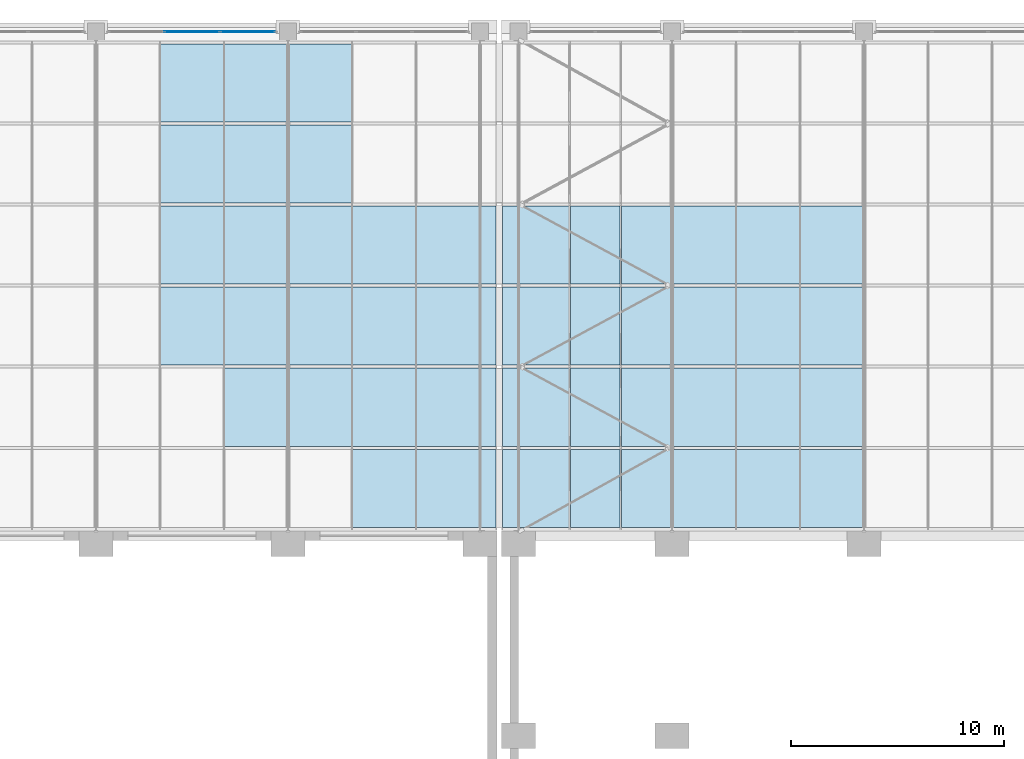
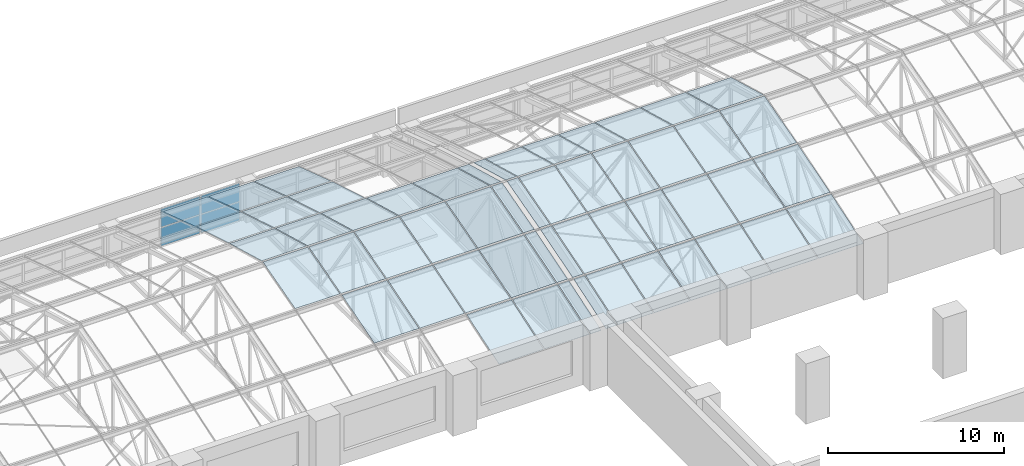
# One storey, part 50 of 82: 58 plates, 3 elements without a shape of their own.
"""IFC4 building model written with IfcOpenShell, lengths in metres."""

from ifc_helpers import new_model, si_unit, direction, frame, origin, origin_2d, place, context, subcontext, project, spatial, polyline, rectangle, outline, extrude, material, layer, layer_set, type_object, element, aggregate, save


model = new_model("IFC4")

# Units and contexts
model_context = context("Model", 3, precision=1e-05, world=origin(), true_north=direction((0.0, 1.0)))
body_context = subcontext(model_context, "Body", "Model", "MODEL_VIEW")
ifc_project = project(units=[si_unit("LENGTHUNIT", "METRE"), si_unit("AREAUNIT", "SQUARE_METRE"), si_unit("VOLUMEUNIT", "CUBIC_METRE"), si_unit("PLANEANGLEUNIT", "RADIAN"), si_unit("MASSUNIT", "GRAM", prefix="KILO")], contexts=[model_context])

# Site, building, storey
site_placement = place(None, origin())
site = spatial("IfcSite", under=ifc_project, at=site_placement, CompositionType="ELEMENT")
building_placement = place(site_placement, origin())
building = spatial("IfcBuilding", under=site, at=building_placement, Name="Aravalli Gate Trade Fair Centre", CompositionType="ELEMENT")
storey_placement = place(building_placement, frame((0.0, 0.0, 19.199951171875)))
storey = spatial("IfcBuildingStorey", under=building, at=storey_placement, Name="L04", CompositionType="ELEMENT", Elevation=19.199951171875)

# Curtain wall, plates
ifc_material_1 = material(Name="Aluminium and glass", Category="aluminium")
curtain_wall_type_1 = type_object("IfcCurtainWallType", Name="Curtain wall 3000 module", PredefinedType="NOTDEFINED", material=ifc_material_1)
curtain_wall_1_placement = place(storey_placement, origin())
curtain_wall_1 = element("IfcCurtainWall", 1, at=curtain_wall_1_placement, inside=storey, type_object=curtain_wall_type_1, Name="Curtain wall north bay 10 L04", PredefinedType="NOTDEFINED")
ifc_material_2 = material(Name="Glass, double glazed", Category="glass")
ifc_layer_1 = layer(ifc_material_2, 0.028076171875)
ifc_layer_set_1 = layer_set([ifc_layer_1], Name="Glass, double glazed")
plate_type_1 = type_object("IfcPlateType", Name="Curtain wall panel, double glazed 28", PredefinedType="CURTAIN_PANEL", material=ifc_layer_set_1)
plate_1_placement = place(storey_placement, frame((91.5, 133.0, 0.06005859375), z_axis=(0.0, 0.0, 1.0), x_axis=(1.0, 0.0, 0.0)))
plate_1 = element("IfcPlate", 2, at=plate_1_placement, type_object=plate_type_1, Name="CW1 panel 2.1", PredefinedType="CURTAIN_PANEL", context=body_context, shape_type="SweptSolid", body=[
    extrude(rectangle(XDim=2.5732421875, YDim=0.028076171875, at=origin_2d()), origin(), (0.0, 0.0, 1.0), 1.260009765625),
])
plate_2_placement = place(storey_placement, frame((91.5, 133.0, 1.3798828125), z_axis=(0.0, 0.0, 1.0), x_axis=(1.0, 0.0, 0.0)))
plate_2 = element("IfcPlate", 3, at=plate_2_placement, type_object=plate_type_1, Name="CW1 panel 2.2", PredefinedType="CURTAIN_PANEL", context=body_context, shape_type="SweptSolid", body=[
    extrude(rectangle(XDim=2.5732421875, YDim=0.028076171875, at=origin_2d()), origin(), (0.0, 0.0, 1.0), 1.260009765625),
])
plate_3_placement = place(storey_placement, frame((94.118408203125, 133.0, 0.06005859375), z_axis=(0.0, 0.0, 1.0), x_axis=(1.0, 0.0, 0.0)))
plate_3 = element("IfcPlate", 4, at=plate_3_placement, type_object=plate_type_1, Name="CW1 panel 3.1", PredefinedType="CURTAIN_PANEL", context=body_context, shape_type="SweptSolid", body=[
    extrude(rectangle(XDim=2.543212890625, YDim=0.028076171875, at=origin_2d()), origin(), (0.0, 0.0, 1.0), 1.260009765625),
])
plate_4_placement = place(storey_placement, frame((94.118408203125, 133.0, 1.3798828125), z_axis=(0.0, 0.0, 1.0), x_axis=(1.0, 0.0, 0.0)))
plate_4 = element("IfcPlate", 5, at=plate_4_placement, type_object=plate_type_1, Name="CW1 panel 3.2", PredefinedType="CURTAIN_PANEL", context=body_context, shape_type="SweptSolid", body=[
    extrude(rectangle(XDim=2.543212890625, YDim=0.028076171875, at=origin_2d()), origin(), (0.0, 0.0, 1.0), 1.260009765625),
])
aggregate(curtain_wall_1, [plate_1, plate_2, plate_3, plate_4])

curtain_wall_type_2 = type_object("IfcCurtainWallType", Name="Vault curtain wall, sloped glazing", PredefinedType="NOTDEFINED", material=ifc_material_1)
curtain_wall_2_placement = place(storey_placement, origin())
curtain_wall_2 = element("IfcCurtainWall", 6, at=curtain_wall_2_placement, inside=storey, type_object=curtain_wall_type_2, Name="Vault curtain wall w", PredefinedType="NOTDEFINED")
ifc_material_3 = material(Name="Glass, laminated double glazed", Category="glass")
ifc_layer_2 = layer(ifc_material_3, 0.028076171875)
ifc_layer_set_2 = layer_set([ifc_layer_2], Name="Glass, laminated double glazed")
plate_type_2 = type_object("IfcPlateType", Name="Vault glazing panel, facet class 1", PredefinedType="CURTAIN_PANEL", material=ifc_layer_set_2)
plate_5_placement = place(storey_placement, frame((90.030029296875, 128.77001953125, 4.0771484375), z_axis=(0.0, 0.312518472278, 0.949911682466), x_axis=(1.0, 0.0, 0.0)))
plate_5 = element("IfcPlate", 7, at=plate_5_placement, type_object=plate_type_2, Name="Vault glazing w26.6", PredefinedType="CURTAIN_PANEL", context=body_context, shape_type="SweptSolid", body=[
    extrude(outline(polyline([(0.0, 0.0), (2.93994140625, 0.0), (2.93994140625, 3.852897250273449), (0.0, 3.852897250273449), (0.0, 0.0)])), origin(), (0.0, 0.0, -1.0), 0.028076171875),
])
plate_6_placement = place(storey_placement, frame((93.030029296875, 128.77001953125, 4.0771484375), z_axis=(0.0, 0.312518472278, 0.949911682466), x_axis=(1.0, 0.0, 0.0)))
plate_6 = element("IfcPlate", 8, at=plate_6_placement, type_object=plate_type_2, Name="Vault glazing w27.6", PredefinedType="CURTAIN_PANEL", context=body_context, shape_type="SweptSolid", body=[
    extrude(outline(polyline([(0.0, 0.0), (2.93994140625, 0.0), (2.93994140625, 3.852897250273449), (0.0, 3.852897250273449), (0.0, 0.0)])), origin(), (0.0, 0.0, -1.0), 0.028076171875),
])
plate_7_placement = place(storey_placement, frame((96.030029296875, 128.77001953125, 4.0771484375), z_axis=(0.0, 0.312518472278, 0.949911682466), x_axis=(1.0, 0.0, 0.0)))
plate_7 = element("IfcPlate", 9, at=plate_7_placement, type_object=plate_type_2, Name="Vault glazing w28.6", PredefinedType="CURTAIN_PANEL", context=body_context, shape_type="SweptSolid", body=[
    extrude(outline(polyline([(0.0, 0.0), (2.93994140625, 0.0), (2.93994140625, 3.852897250273449), (0.0, 3.852897250273449), (0.0, 0.0)])), origin(), (0.0, 0.0, -1.0), 0.028076171875),
])
plate_8_placement = place(storey_placement, frame((99.030029296875, 109.77001953125, 2.873046875), z_axis=(0.0, -0.312518472278, 0.949911682466), x_axis=(1.0, 0.0, 0.0)))
plate_8 = element("IfcPlate", 10, at=plate_8_placement, type_object=plate_type_2, Name="Vault glazing w29.1", PredefinedType="CURTAIN_PANEL", context=body_context, shape_type="SweptSolid", body=[
    extrude(outline(polyline([(0.0, 0.0), (2.93994140625, 0.0), (2.93994140625, 3.852897250273449), (0.0, 3.852897250273449), (0.0, 0.0)])), origin(), (0.0, 0.0, -1.0), 0.028076171875),
])
plate_9_placement = place(storey_placement, frame((102.030029296875, 109.77001953125, 2.873046875), z_axis=(0.0, -0.312518472278, 0.949911682466), x_axis=(1.0, 0.0, 0.0)))
plate_9 = element("IfcPlate", 11, at=plate_9_placement, type_object=plate_type_2, Name="Vault glazing w30.1", PredefinedType="CURTAIN_PANEL", context=body_context, shape_type="SweptSolid", body=[
    extrude(outline(polyline([(0.0, 0.0), (2.93994140625, 0.0), (2.93994140625, 3.852897250273449), (0.0, 3.852897250273449), (0.0, 0.0)])), origin(), (0.0, 0.0, -1.0), 0.028076171875),
])
plate_10_placement = place(storey_placement, frame((105.030029296875, 109.77001953125, 2.873046875), z_axis=(0.0, -0.312518472278, 0.949911682466), x_axis=(1.0, 0.0, 0.0)))
plate_10 = element("IfcPlate", 12, at=plate_10_placement, type_object=plate_type_2, Name="Vault glazing w31.1", PredefinedType="CURTAIN_PANEL", context=body_context, shape_type="SweptSolid", body=[
    extrude(outline(polyline([(0.0, 0.0), (0.7099609375, 0.0), (0.7099609375, 3.852897250273449), (0.0, 3.852897250273449), (0.0, 0.0)])), origin(), (0.0, 0.0, -1.0), 0.028076171875),
])

curtain_wall_3_placement = place(storey_placement, origin())
curtain_wall_3 = element("IfcCurtainWall", 13, at=curtain_wall_3_placement, inside=storey, type_object=curtain_wall_type_2, Name="Vault curtain wall e", PredefinedType="NOTDEFINED")
plate_11_placement = place(storey_placement, frame((106.06005859375, 109.77001953125, 2.873046875), z_axis=(0.0, -0.312518472278, 0.949911682466), x_axis=(1.0, 0.0, 0.0)))
plate_11 = element("IfcPlate", 14, at=plate_11_placement, type_object=plate_type_2, Name="Vault glazing e1.1", PredefinedType="CURTAIN_PANEL", context=body_context, shape_type="SweptSolid", body=[
    extrude(outline(polyline([(0.0, 0.0), (0.7099609375, 0.0), (0.7099609375, 3.852897250273449), (0.0, 3.852897250273449), (0.0, 0.0)])), origin(), (0.0, 0.0, -1.0), 0.028076171875),
])
plate_12_placement = place(storey_placement, frame((106.830078125, 109.77001953125, 2.873046875), z_axis=(0.0, -0.312518472278, 0.949911682466), x_axis=(1.0, 0.0, 0.0)))
plate_12 = element("IfcPlate", 15, at=plate_12_placement, type_object=plate_type_2, Name="Vault glazing e2.1", PredefinedType="CURTAIN_PANEL", context=body_context, shape_type="SweptSolid", body=[
    extrude(outline(polyline([(0.0, 0.0), (2.33984375, 0.0), (2.33984375, 3.8528972502734495), (0.0, 3.8528972502734495), (0.0, 0.0)])), origin(), (0.0, 0.0, -1.0), 0.028076171875),
])
plate_13_placement = place(storey_placement, frame((109.22998046875, 109.77001953125, 2.873046875), z_axis=(0.0, -0.312518472278, 0.949911682466), x_axis=(1.0, 0.0, 0.0)))
plate_13 = element("IfcPlate", 16, at=plate_13_placement, type_object=plate_type_2, Name="Vault glazing e3.1", PredefinedType="CURTAIN_PANEL", context=body_context, shape_type="SweptSolid", body=[
    extrude(outline(polyline([(0.0, 0.0), (2.340087890625, 0.0), (2.340087890625, 3.852897250273449), (0.0, 3.852897250273449), (0.0, 0.0)])), origin(), (0.0, 0.0, -1.0), 0.028076171875),
])
plate_14_placement = place(storey_placement, frame((111.6298828125, 109.77001953125, 2.873046875), z_axis=(0.0, -0.312518472278, 0.949911682466), x_axis=(1.0, 0.0, 0.0)))
plate_14 = element("IfcPlate", 17, at=plate_14_placement, type_object=plate_type_2, Name="Vault glazing e4.1", PredefinedType="CURTAIN_PANEL", context=body_context, shape_type="SweptSolid", body=[
    extrude(outline(polyline([(0.0, 0.0), (2.340087890625, 0.0), (2.340087890625, 3.852897250273449), (0.0, 3.852897250273449), (0.0, 0.0)])), origin(), (0.0, 0.0, -1.0), 0.028076171875),
])
plate_15_placement = place(storey_placement, frame((114.030029296875, 109.77001953125, 2.873046875), z_axis=(0.0, -0.312518472278, 0.949911682466), x_axis=(1.0, 0.0, 0.0)))
plate_15 = element("IfcPlate", 18, at=plate_15_placement, type_object=plate_type_2, Name="Vault glazing e5.1", PredefinedType="CURTAIN_PANEL", context=body_context, shape_type="SweptSolid", body=[
    extrude(outline(polyline([(0.0, 0.0), (2.93994140625, 0.0), (2.93994140625, 3.852897250273449), (0.0, 3.852897250273449), (0.0, 0.0)])), origin(), (0.0, 0.0, -1.0), 0.028076171875),
])
plate_16_placement = place(storey_placement, frame((117.030029296875, 109.77001953125, 2.873046875), z_axis=(0.0, -0.312518472278, 0.949911682466), x_axis=(1.0, 0.0, 0.0)))
plate_16 = element("IfcPlate", 19, at=plate_16_placement, type_object=plate_type_2, Name="Vault glazing e6.1", PredefinedType="CURTAIN_PANEL", context=body_context, shape_type="SweptSolid", body=[
    extrude(outline(polyline([(0.0, 0.0), (2.93994140625, 0.0), (2.93994140625, 3.852897250273449), (0.0, 3.852897250273449), (0.0, 0.0)])), origin(), (0.0, 0.0, -1.0), 0.028076171875),
])
plate_17_placement = place(storey_placement, frame((120.030029296875, 109.77001953125, 2.873046875), z_axis=(0.0, -0.312518472278, 0.949911682466), x_axis=(1.0, 0.0, 0.0)))
plate_17 = element("IfcPlate", 20, at=plate_17_placement, type_object=plate_type_2, Name="Vault glazing e7.1", PredefinedType="CURTAIN_PANEL", context=body_context, shape_type="SweptSolid", body=[
    extrude(outline(polyline([(0.0, 0.0), (2.93994140625, 0.0), (2.93994140625, 3.852897250273449), (0.0, 3.852897250273449), (0.0, 0.0)])), origin(), (0.0, 0.0, -1.0), 0.028076171875),
])

# Plate
ifc_layer_3 = layer(ifc_material_3, 0.028076171875)
ifc_layer_set_3 = layer_set([ifc_layer_3], Name="Glass, laminated double glazed")
plate_type_3 = type_object("IfcPlateType", Name="Vault glazing panel, facet class 2", PredefinedType="CURTAIN_PANEL", material=ifc_layer_set_3)
plate_18_placement = place(storey_placement, frame((90.030029296875, 124.969970703125, 5.228759765625), z_axis=(0.0, 0.289613973345, 0.957143534922), x_axis=(1.0, 0.0, 0.0)))
plate_18 = element("IfcPlate", 21, at=plate_18_placement, type_object=plate_type_3, Name="Vault glazing w26.5", PredefinedType="CURTAIN_PANEL", context=body_context, shape_type="SweptSolid", body=[
    extrude(outline(polyline([(0.0, 0.0), (2.93994140625, 0.0), (2.93994140625, 3.8237860632595906), (0.0, 3.8237860632595906), (0.0, 0.0)])), origin(), (0.0, 0.0, -1.0), 0.028076171875),
])

plate_19_placement = place(storey_placement, frame((93.030029296875, 113.570068359375, 4.121337890625), z_axis=(0.0, -0.289613973345, 0.957143534922), x_axis=(1.0, 0.0, 0.0)))
plate_19 = element("IfcPlate", 22, at=plate_19_placement, type_object=plate_type_3, Name="Vault glazing w27.2", PredefinedType="CURTAIN_PANEL", context=body_context, shape_type="SweptSolid", body=[
    extrude(outline(polyline([(0.0, 0.0), (2.93994140625, 0.0), (2.93994140625, 3.8237860632595906), (0.0, 3.8237860632595906), (0.0, 0.0)])), origin(), (0.0, 0.0, -1.0), 0.028076171875),
])

plate_20_placement = place(storey_placement, frame((93.030029296875, 124.969970703125, 5.228759765625), z_axis=(0.0, 0.289613973345, 0.957143534922), x_axis=(1.0, 0.0, 0.0)))
plate_20 = element("IfcPlate", 23, at=plate_20_placement, type_object=plate_type_3, Name="Vault glazing w27.5", PredefinedType="CURTAIN_PANEL", context=body_context, shape_type="SweptSolid", body=[
    extrude(outline(polyline([(0.0, 0.0), (2.93994140625, 0.0), (2.93994140625, 3.8237860632595906), (0.0, 3.8237860632595906), (0.0, 0.0)])), origin(), (0.0, 0.0, -1.0), 0.028076171875),
])

plate_21_placement = place(storey_placement, frame((96.030029296875, 113.570068359375, 4.121337890625), z_axis=(0.0, -0.289613973345, 0.957143534922), x_axis=(1.0, 0.0, 0.0)))
plate_21 = element("IfcPlate", 24, at=plate_21_placement, type_object=plate_type_3, Name="Vault glazing w28.2", PredefinedType="CURTAIN_PANEL", context=body_context, shape_type="SweptSolid", body=[
    extrude(outline(polyline([(0.0, 0.0), (2.93994140625, 0.0), (2.93994140625, 3.8237860632595906), (0.0, 3.8237860632595906), (0.0, 0.0)])), origin(), (0.0, 0.0, -1.0), 0.028076171875),
])

plate_22_placement = place(storey_placement, frame((96.030029296875, 124.969970703125, 5.228759765625), z_axis=(0.0, 0.289613973345, 0.957143534922), x_axis=(1.0, 0.0, 0.0)))
plate_22 = element("IfcPlate", 25, at=plate_22_placement, type_object=plate_type_3, Name="Vault glazing w28.5", PredefinedType="CURTAIN_PANEL", context=body_context, shape_type="SweptSolid", body=[
    extrude(outline(polyline([(0.0, 0.0), (2.93994140625, 0.0), (2.93994140625, 3.8237860632595906), (0.0, 3.8237860632595906), (0.0, 0.0)])), origin(), (0.0, 0.0, -1.0), 0.028076171875),
])

plate_23_placement = place(storey_placement, frame((99.030029296875, 113.570068359375, 4.121337890625), z_axis=(0.0, -0.289613973345, 0.957143534922), x_axis=(1.0, 0.0, 0.0)))
plate_23 = element("IfcPlate", 26, at=plate_23_placement, type_object=plate_type_3, Name="Vault glazing w29.2", PredefinedType="CURTAIN_PANEL", context=body_context, shape_type="SweptSolid", body=[
    extrude(outline(polyline([(0.0, 0.0), (2.93994140625, 0.0), (2.93994140625, 3.8237860632595906), (0.0, 3.8237860632595906), (0.0, 0.0)])), origin(), (0.0, 0.0, -1.0), 0.028076171875),
])

plate_24_placement = place(storey_placement, frame((102.030029296875, 113.570068359375, 4.121337890625), z_axis=(0.0, -0.289613973345, 0.957143534922), x_axis=(1.0, 0.0, 0.0)))
plate_24 = element("IfcPlate", 27, at=plate_24_placement, type_object=plate_type_3, Name="Vault glazing w30.2", PredefinedType="CURTAIN_PANEL", context=body_context, shape_type="SweptSolid", body=[
    extrude(outline(polyline([(0.0, 0.0), (2.93994140625, 0.0), (2.93994140625, 3.8237860632595906), (0.0, 3.8237860632595906), (0.0, 0.0)])), origin(), (0.0, 0.0, -1.0), 0.028076171875),
])

plate_25_placement = place(storey_placement, frame((105.030029296875, 113.570068359375, 4.121337890625), z_axis=(0.0, -0.289613973345, 0.957143534922), x_axis=(1.0, 0.0, 0.0)))
plate_25 = element("IfcPlate", 28, at=plate_25_placement, type_object=plate_type_3, Name="Vault glazing w31.2", PredefinedType="CURTAIN_PANEL", context=body_context, shape_type="SweptSolid", body=[
    extrude(outline(polyline([(0.0, 0.0), (0.7099609375, 0.0), (0.7099609375, 3.823786063259591), (0.0, 3.823786063259591), (0.0, 0.0)])), origin(), (0.0, 0.0, -1.0), 0.028076171875),
])

plate_26_placement = place(storey_placement, frame((106.06005859375, 113.570068359375, 4.121337890625), z_axis=(0.0, -0.289613973345, 0.957143534922), x_axis=(1.0, 0.0, 0.0)))
plate_26 = element("IfcPlate", 29, at=plate_26_placement, type_object=plate_type_3, Name="Vault glazing e1.2", PredefinedType="CURTAIN_PANEL", context=body_context, shape_type="SweptSolid", body=[
    extrude(outline(polyline([(0.0, 0.0), (0.7099609375, 0.0), (0.7099609375, 3.823786063259591), (0.0, 3.823786063259591), (0.0, 0.0)])), origin(), (0.0, 0.0, -1.0), 0.028076171875),
])

plate_27_placement = place(storey_placement, frame((106.830078125, 113.570068359375, 4.121337890625), z_axis=(0.0, -0.289613973345, 0.957143534922), x_axis=(1.0, 0.0, 0.0)))
plate_27 = element("IfcPlate", 30, at=plate_27_placement, type_object=plate_type_3, Name="Vault glazing e2.2", PredefinedType="CURTAIN_PANEL", context=body_context, shape_type="SweptSolid", body=[
    extrude(outline(polyline([(0.0, 0.0), (2.33984375, 0.0), (2.33984375, 3.8237860632595906), (0.0, 3.8237860632595906), (0.0, 0.0)])), origin(), (0.0, 0.0, -1.0), 0.028076171875),
])

plate_28_placement = place(storey_placement, frame((109.22998046875, 113.570068359375, 4.121337890625), z_axis=(0.0, -0.289613973345, 0.957143534922), x_axis=(1.0, 0.0, 0.0)))
plate_28 = element("IfcPlate", 31, at=plate_28_placement, type_object=plate_type_3, Name="Vault glazing e3.2", PredefinedType="CURTAIN_PANEL", context=body_context, shape_type="SweptSolid", body=[
    extrude(outline(polyline([(0.0, 0.0), (2.340087890625, 0.0), (2.340087890625, 3.823786063259591), (0.0, 3.823786063259591), (0.0, 0.0)])), origin(), (0.0, 0.0, -1.0), 0.028076171875),
])

plate_29_placement = place(storey_placement, frame((111.6298828125, 113.570068359375, 4.121337890625), z_axis=(0.0, -0.289613973345, 0.957143534922), x_axis=(1.0, 0.0, 0.0)))
plate_29 = element("IfcPlate", 32, at=plate_29_placement, type_object=plate_type_3, Name="Vault glazing e4.2", PredefinedType="CURTAIN_PANEL", context=body_context, shape_type="SweptSolid", body=[
    extrude(outline(polyline([(0.0, 0.0), (2.340087890625, 0.0), (2.340087890625, 3.823786063259591), (0.0, 3.823786063259591), (0.0, 0.0)])), origin(), (0.0, 0.0, -1.0), 0.028076171875),
])

plate_30_placement = place(storey_placement, frame((114.030029296875, 113.570068359375, 4.121337890625), z_axis=(0.0, -0.289613973345, 0.957143534922), x_axis=(1.0, 0.0, 0.0)))
plate_30 = element("IfcPlate", 33, at=plate_30_placement, type_object=plate_type_3, Name="Vault glazing e5.2", PredefinedType="CURTAIN_PANEL", context=body_context, shape_type="SweptSolid", body=[
    extrude(outline(polyline([(0.0, 0.0), (2.93994140625, 0.0), (2.93994140625, 3.8237860632595906), (0.0, 3.8237860632595906), (0.0, 0.0)])), origin(), (0.0, 0.0, -1.0), 0.028076171875),
])

plate_31_placement = place(storey_placement, frame((117.030029296875, 113.570068359375, 4.121337890625), z_axis=(0.0, -0.289613973345, 0.957143534922), x_axis=(1.0, 0.0, 0.0)))
plate_31 = element("IfcPlate", 34, at=plate_31_placement, type_object=plate_type_3, Name="Vault glazing e6.2", PredefinedType="CURTAIN_PANEL", context=body_context, shape_type="SweptSolid", body=[
    extrude(outline(polyline([(0.0, 0.0), (2.93994140625, 0.0), (2.93994140625, 3.8237860632595906), (0.0, 3.8237860632595906), (0.0, 0.0)])), origin(), (0.0, 0.0, -1.0), 0.028076171875),
])

plate_32_placement = place(storey_placement, frame((120.030029296875, 113.570068359375, 4.121337890625), z_axis=(0.0, -0.289613973345, 0.957143534922), x_axis=(1.0, 0.0, 0.0)))
plate_32 = element("IfcPlate", 35, at=plate_32_placement, type_object=plate_type_3, Name="Vault glazing e7.2", PredefinedType="CURTAIN_PANEL", context=body_context, shape_type="SweptSolid", body=[
    extrude(outline(polyline([(0.0, 0.0), (2.93994140625, 0.0), (2.93994140625, 3.8237860632595906), (0.0, 3.8237860632595906), (0.0, 0.0)])), origin(), (0.0, 0.0, -1.0), 0.028076171875),
])

ifc_layer_4 = layer(ifc_material_3, 0.028076171875)
ifc_layer_set_4 = layer_set([ifc_layer_4], Name="Glass, laminated double glazed")
plate_type_4 = type_object("IfcPlateType", Name="Vault glazing panel, facet class 3", PredefinedType="CURTAIN_PANEL", material=ifc_layer_set_4)
plate_33_placement = place(storey_placement, frame((90.030029296875, 117.3701171875, 5.269287109375), z_axis=(0.0, -0.266380180859, 0.96386804037), x_axis=(1.0, 0.0, 0.0)))
plate_33 = element("IfcPlate", 36, at=plate_33_placement, type_object=plate_type_4, Name="Vault glazing w26.3", PredefinedType="CURTAIN_PANEL", context=body_context, shape_type="SweptSolid", body=[
    extrude(outline(polyline([(0.0, 0.0), (2.93994140625, 0.0), (2.93994140625, 3.7971091021670778), (0.0, 3.7971091021670778), (0.0, 0.0)])), origin(), (0.0, 0.0, -1.0), 0.028076171875),
])

plate_34_placement = place(storey_placement, frame((90.030029296875, 121.169921875, 6.28076171875), z_axis=(0.0, 0.266363673386, 0.963872602318), x_axis=(1.0, 0.0, 0.0)))
plate_34 = element("IfcPlate", 37, at=plate_34_placement, type_object=plate_type_4, Name="Vault glazing w26.4", PredefinedType="CURTAIN_PANEL", context=body_context, shape_type="SweptSolid", body=[
    extrude(outline(polyline([(0.0, 0.0), (2.93994140625, 0.0), (2.93994140625, 3.797344422069767), (0.0, 3.797344422069767), (0.0, 0.0)])), origin(), (0.0, 0.0, -1.0), 0.028076171875),
])

plate_35_placement = place(storey_placement, frame((93.030029296875, 117.3701171875, 5.269287109375), z_axis=(0.0, -0.266380180859, 0.96386804037), x_axis=(1.0, 0.0, 0.0)))
plate_35 = element("IfcPlate", 38, at=plate_35_placement, type_object=plate_type_4, Name="Vault glazing w27.3", PredefinedType="CURTAIN_PANEL", context=body_context, shape_type="SweptSolid", body=[
    extrude(outline(polyline([(0.0, 0.0), (2.93994140625, 0.0), (2.93994140625, 3.7971091021670778), (0.0, 3.7971091021670778), (0.0, 0.0)])), origin(), (0.0, 0.0, -1.0), 0.028076171875),
])

plate_36_placement = place(storey_placement, frame((93.030029296875, 121.169921875, 6.28076171875), z_axis=(0.0, 0.266363673386, 0.963872602318), x_axis=(1.0, 0.0, 0.0)))
plate_36 = element("IfcPlate", 39, at=plate_36_placement, type_object=plate_type_4, Name="Vault glazing w27.4", PredefinedType="CURTAIN_PANEL", context=body_context, shape_type="SweptSolid", body=[
    extrude(outline(polyline([(0.0, 0.0), (2.93994140625, 0.0), (2.93994140625, 3.797344422069767), (0.0, 3.797344422069767), (0.0, 0.0)])), origin(), (0.0, 0.0, -1.0), 0.028076171875),
])

plate_37_placement = place(storey_placement, frame((96.030029296875, 117.3701171875, 5.269287109375), z_axis=(0.0, -0.266380180859, 0.96386804037), x_axis=(1.0, 0.0, 0.0)))
plate_37 = element("IfcPlate", 40, at=plate_37_placement, type_object=plate_type_4, Name="Vault glazing w28.3", PredefinedType="CURTAIN_PANEL", context=body_context, shape_type="SweptSolid", body=[
    extrude(outline(polyline([(0.0, 0.0), (2.93994140625, 0.0), (2.93994140625, 3.7971091021670778), (0.0, 3.7971091021670778), (0.0, 0.0)])), origin(), (0.0, 0.0, -1.0), 0.028076171875),
])

plate_38_placement = place(storey_placement, frame((96.030029296875, 121.169921875, 6.28076171875), z_axis=(0.0, 0.266363673386, 0.963872602318), x_axis=(1.0, 0.0, 0.0)))
plate_38 = element("IfcPlate", 41, at=plate_38_placement, type_object=plate_type_4, Name="Vault glazing w28.4", PredefinedType="CURTAIN_PANEL", context=body_context, shape_type="SweptSolid", body=[
    extrude(outline(polyline([(0.0, 0.0), (2.93994140625, 0.0), (2.93994140625, 3.797344422069767), (0.0, 3.797344422069767), (0.0, 0.0)])), origin(), (0.0, 0.0, -1.0), 0.028076171875),
])

plate_39_placement = place(storey_placement, frame((99.030029296875, 117.3701171875, 5.269287109375), z_axis=(0.0, -0.266380180859, 0.96386804037), x_axis=(1.0, 0.0, 0.0)))
plate_39 = element("IfcPlate", 42, at=plate_39_placement, type_object=plate_type_4, Name="Vault glazing w29.3", PredefinedType="CURTAIN_PANEL", context=body_context, shape_type="SweptSolid", body=[
    extrude(outline(polyline([(0.0, 0.0), (2.93994140625, 0.0), (2.93994140625, 3.7971091021670778), (0.0, 3.7971091021670778), (0.0, 0.0)])), origin(), (0.0, 0.0, -1.0), 0.028076171875),
])

plate_40_placement = place(storey_placement, frame((99.030029296875, 121.169921875, 6.28076171875), z_axis=(0.0, 0.266363673386, 0.963872602318), x_axis=(1.0, 0.0, 0.0)))
plate_40 = element("IfcPlate", 43, at=plate_40_placement, type_object=plate_type_4, Name="Vault glazing w29.4", PredefinedType="CURTAIN_PANEL", context=body_context, shape_type="SweptSolid", body=[
    extrude(outline(polyline([(0.0, 0.0), (2.93994140625, 0.0), (2.93994140625, 3.797344422069767), (0.0, 3.797344422069767), (0.0, 0.0)])), origin(), (0.0, 0.0, -1.0), 0.028076171875),
])

plate_41_placement = place(storey_placement, frame((102.030029296875, 117.3701171875, 5.269287109375), z_axis=(0.0, -0.266380180859, 0.96386804037), x_axis=(1.0, 0.0, 0.0)))
plate_41 = element("IfcPlate", 44, at=plate_41_placement, type_object=plate_type_4, Name="Vault glazing w30.3", PredefinedType="CURTAIN_PANEL", context=body_context, shape_type="SweptSolid", body=[
    extrude(outline(polyline([(0.0, 0.0), (2.93994140625, 0.0), (2.93994140625, 3.7971091021670778), (0.0, 3.7971091021670778), (0.0, 0.0)])), origin(), (0.0, 0.0, -1.0), 0.028076171875),
])

plate_42_placement = place(storey_placement, frame((102.030029296875, 121.169921875, 6.28076171875), z_axis=(0.0, 0.266363673386, 0.963872602318), x_axis=(1.0, 0.0, 0.0)))
plate_42 = element("IfcPlate", 45, at=plate_42_placement, type_object=plate_type_4, Name="Vault glazing w30.4", PredefinedType="CURTAIN_PANEL", context=body_context, shape_type="SweptSolid", body=[
    extrude(outline(polyline([(0.0, 0.0), (2.93994140625, 0.0), (2.93994140625, 3.797344422069767), (0.0, 3.797344422069767), (0.0, 0.0)])), origin(), (0.0, 0.0, -1.0), 0.028076171875),
])

plate_43_placement = place(storey_placement, frame((105.030029296875, 117.3701171875, 5.269287109375), z_axis=(0.0, -0.266380180859, 0.96386804037), x_axis=(1.0, 0.0, 0.0)))
plate_43 = element("IfcPlate", 46, at=plate_43_placement, type_object=plate_type_4, Name="Vault glazing w31.3", PredefinedType="CURTAIN_PANEL", context=body_context, shape_type="SweptSolid", body=[
    extrude(outline(polyline([(0.0, 0.0), (0.7099609375, 0.0), (0.7099609375, 3.7971091021670778), (0.0, 3.7971091021670778), (0.0, 0.0)])), origin(), (0.0, 0.0, -1.0), 0.028076171875),
])

plate_44_placement = place(storey_placement, frame((105.030029296875, 121.169921875, 6.28076171875), z_axis=(0.0, 0.266363673386, 0.963872602318), x_axis=(1.0, 0.0, 0.0)))
plate_44 = element("IfcPlate", 47, at=plate_44_placement, type_object=plate_type_4, Name="Vault glazing w31.4", PredefinedType="CURTAIN_PANEL", context=body_context, shape_type="SweptSolid", body=[
    extrude(outline(polyline([(0.0, 0.0), (0.7099609375, 0.0), (0.7099609375, 3.797344422069767), (0.0, 3.797344422069767), (0.0, 0.0)])), origin(), (0.0, 0.0, -1.0), 0.028076171875),
])

aggregate(curtain_wall_2, [plate_33, plate_34, plate_18, plate_5, plate_19, plate_35, plate_36, plate_20, plate_6, plate_21, plate_37, plate_38, plate_22, plate_7, plate_8, plate_23, plate_39, plate_40, plate_9, plate_24, plate_41, plate_42, plate_10, plate_25, plate_43, plate_44])

plate_45_placement = place(storey_placement, frame((106.06005859375, 117.3701171875, 5.269287109375), z_axis=(0.0, -0.266380180859, 0.96386804037), x_axis=(1.0, 0.0, 0.0)))
plate_45 = element("IfcPlate", 48, at=plate_45_placement, type_object=plate_type_4, Name="Vault glazing e1.3", PredefinedType="CURTAIN_PANEL", context=body_context, shape_type="SweptSolid", body=[
    extrude(outline(polyline([(0.0, 0.0), (0.7099609375, 0.0), (0.7099609375, 3.7971091021670778), (0.0, 3.7971091021670778), (0.0, 0.0)])), origin(), (0.0, 0.0, -1.0), 0.028076171875),
])

plate_46_placement = place(storey_placement, frame((106.06005859375, 121.169921875, 6.28076171875), z_axis=(0.0, 0.266363673386, 0.963872602318), x_axis=(1.0, 0.0, 0.0)))
plate_46 = element("IfcPlate", 49, at=plate_46_placement, type_object=plate_type_4, Name="Vault glazing e1.4", PredefinedType="CURTAIN_PANEL", context=body_context, shape_type="SweptSolid", body=[
    extrude(outline(polyline([(0.0, 0.0), (0.7099609375, 0.0), (0.7099609375, 3.797344422069767), (0.0, 3.797344422069767), (0.0, 0.0)])), origin(), (0.0, 0.0, -1.0), 0.028076171875),
])

plate_47_placement = place(storey_placement, frame((106.830078125, 117.3701171875, 5.269287109375), z_axis=(0.0, -0.266380180859, 0.96386804037), x_axis=(1.0, 0.0, 0.0)))
plate_47 = element("IfcPlate", 50, at=plate_47_placement, type_object=plate_type_4, Name="Vault glazing e2.3", PredefinedType="CURTAIN_PANEL", context=body_context, shape_type="SweptSolid", body=[
    extrude(outline(polyline([(0.0, 0.0), (2.33984375, 0.0), (2.33984375, 3.7971091021670778), (0.0, 3.7971091021670778), (0.0, 0.0)])), origin(), (0.0, 0.0, -1.0), 0.028076171875),
])

plate_48_placement = place(storey_placement, frame((106.830078125, 121.169921875, 6.28076171875), z_axis=(0.0, 0.266363673386, 0.963872602318), x_axis=(1.0, 0.0, 0.0)))
plate_48 = element("IfcPlate", 51, at=plate_48_placement, type_object=plate_type_4, Name="Vault glazing e2.4", PredefinedType="CURTAIN_PANEL", context=body_context, shape_type="SweptSolid", body=[
    extrude(outline(polyline([(0.0, 0.0), (2.33984375, 0.0), (2.33984375, 3.797344422069767), (0.0, 3.797344422069767), (0.0, 0.0)])), origin(), (0.0, 0.0, -1.0), 0.028076171875),
])

plate_49_placement = place(storey_placement, frame((109.22998046875, 117.3701171875, 5.269287109375), z_axis=(0.0, -0.266380180859, 0.96386804037), x_axis=(1.0, 0.0, 0.0)))
plate_49 = element("IfcPlate", 52, at=plate_49_placement, type_object=plate_type_4, Name="Vault glazing e3.3", PredefinedType="CURTAIN_PANEL", context=body_context, shape_type="SweptSolid", body=[
    extrude(outline(polyline([(0.0, 0.0), (2.340087890625, 0.0), (2.340087890625, 3.7971091021670786), (0.0, 3.7971091021670786), (0.0, 0.0)])), origin(), (0.0, 0.0, -1.0), 0.028076171875),
])

plate_50_placement = place(storey_placement, frame((109.22998046875, 121.169921875, 6.28076171875), z_axis=(0.0, 0.266363673386, 0.963872602318), x_axis=(1.0, 0.0, 0.0)))
plate_50 = element("IfcPlate", 53, at=plate_50_placement, type_object=plate_type_4, Name="Vault glazing e3.4", PredefinedType="CURTAIN_PANEL", context=body_context, shape_type="SweptSolid", body=[
    extrude(outline(polyline([(0.0, 0.0), (2.340087890625, 0.0), (2.340087890625, 3.797344422069767), (0.0, 3.797344422069767), (0.0, 0.0)])), origin(), (0.0, 0.0, -1.0), 0.028076171875),
])

plate_51_placement = place(storey_placement, frame((111.6298828125, 117.3701171875, 5.269287109375), z_axis=(0.0, -0.266380180859, 0.96386804037), x_axis=(1.0, 0.0, 0.0)))
plate_51 = element("IfcPlate", 54, at=plate_51_placement, type_object=plate_type_4, Name="Vault glazing e4.3", PredefinedType="CURTAIN_PANEL", context=body_context, shape_type="SweptSolid", body=[
    extrude(outline(polyline([(0.0, 0.0), (2.340087890625, 0.0), (2.340087890625, 3.7971091021670786), (0.0, 3.7971091021670786), (0.0, 0.0)])), origin(), (0.0, 0.0, -1.0), 0.028076171875),
])

plate_52_placement = place(storey_placement, frame((111.6298828125, 121.169921875, 6.28076171875), z_axis=(0.0, 0.266363673386, 0.963872602318), x_axis=(1.0, 0.0, 0.0)))
plate_52 = element("IfcPlate", 55, at=plate_52_placement, type_object=plate_type_4, Name="Vault glazing e4.4", PredefinedType="CURTAIN_PANEL", context=body_context, shape_type="SweptSolid", body=[
    extrude(outline(polyline([(0.0, 0.0), (2.340087890625, 0.0), (2.340087890625, 3.797344422069767), (0.0, 3.797344422069767), (0.0, 0.0)])), origin(), (0.0, 0.0, -1.0), 0.028076171875),
])

plate_53_placement = place(storey_placement, frame((114.030029296875, 117.3701171875, 5.269287109375), z_axis=(0.0, -0.266380180859, 0.96386804037), x_axis=(1.0, 0.0, 0.0)))
plate_53 = element("IfcPlate", 56, at=plate_53_placement, type_object=plate_type_4, Name="Vault glazing e5.3", PredefinedType="CURTAIN_PANEL", context=body_context, shape_type="SweptSolid", body=[
    extrude(outline(polyline([(0.0, 0.0), (2.93994140625, 0.0), (2.93994140625, 3.7971091021670778), (0.0, 3.7971091021670778), (0.0, 0.0)])), origin(), (0.0, 0.0, -1.0), 0.028076171875),
])

plate_54_placement = place(storey_placement, frame((114.030029296875, 121.169921875, 6.28076171875), z_axis=(0.0, 0.266363673386, 0.963872602318), x_axis=(1.0, 0.0, 0.0)))
plate_54 = element("IfcPlate", 57, at=plate_54_placement, type_object=plate_type_4, Name="Vault glazing e5.4", PredefinedType="CURTAIN_PANEL", context=body_context, shape_type="SweptSolid", body=[
    extrude(outline(polyline([(0.0, 0.0), (2.93994140625, 0.0), (2.93994140625, 3.797344422069767), (0.0, 3.797344422069767), (0.0, 0.0)])), origin(), (0.0, 0.0, -1.0), 0.028076171875),
])

plate_55_placement = place(storey_placement, frame((117.030029296875, 117.3701171875, 5.269287109375), z_axis=(0.0, -0.266380180859, 0.96386804037), x_axis=(1.0, 0.0, 0.0)))
plate_55 = element("IfcPlate", 58, at=plate_55_placement, type_object=plate_type_4, Name="Vault glazing e6.3", PredefinedType="CURTAIN_PANEL", context=body_context, shape_type="SweptSolid", body=[
    extrude(outline(polyline([(0.0, 0.0), (2.93994140625, 0.0), (2.93994140625, 3.7971091021670778), (0.0, 3.7971091021670778), (0.0, 0.0)])), origin(), (0.0, 0.0, -1.0), 0.028076171875),
])

plate_56_placement = place(storey_placement, frame((117.030029296875, 121.169921875, 6.28076171875), z_axis=(0.0, 0.266363673386, 0.963872602318), x_axis=(1.0, 0.0, 0.0)))
plate_56 = element("IfcPlate", 59, at=plate_56_placement, type_object=plate_type_4, Name="Vault glazing e6.4", PredefinedType="CURTAIN_PANEL", context=body_context, shape_type="SweptSolid", body=[
    extrude(outline(polyline([(0.0, 0.0), (2.93994140625, 0.0), (2.93994140625, 3.797344422069767), (0.0, 3.797344422069767), (0.0, 0.0)])), origin(), (0.0, 0.0, -1.0), 0.028076171875),
])

plate_57_placement = place(storey_placement, frame((120.030029296875, 117.3701171875, 5.269287109375), z_axis=(0.0, -0.266380180859, 0.96386804037), x_axis=(1.0, 0.0, 0.0)))
plate_57 = element("IfcPlate", 60, at=plate_57_placement, type_object=plate_type_4, Name="Vault glazing e7.3", PredefinedType="CURTAIN_PANEL", context=body_context, shape_type="SweptSolid", body=[
    extrude(outline(polyline([(0.0, 0.0), (2.93994140625, 0.0), (2.93994140625, 3.7971091021670778), (0.0, 3.7971091021670778), (0.0, 0.0)])), origin(), (0.0, 0.0, -1.0), 0.028076171875),
])

plate_58_placement = place(storey_placement, frame((120.030029296875, 121.169921875, 6.28076171875), z_axis=(0.0, 0.266363673386, 0.963872602318), x_axis=(1.0, 0.0, 0.0)))
plate_58 = element("IfcPlate", 61, at=plate_58_placement, type_object=plate_type_4, Name="Vault glazing e7.4", PredefinedType="CURTAIN_PANEL", context=body_context, shape_type="SweptSolid", body=[
    extrude(outline(polyline([(0.0, 0.0), (2.93994140625, 0.0), (2.93994140625, 3.797344422069767), (0.0, 3.797344422069767), (0.0, 0.0)])), origin(), (0.0, 0.0, -1.0), 0.028076171875),
])

aggregate(curtain_wall_3, [plate_11, plate_26, plate_45, plate_46, plate_12, plate_27, plate_47, plate_48, plate_13, plate_28, plate_49, plate_50, plate_14, plate_29, plate_51, plate_52, plate_15, plate_30, plate_53, plate_54, plate_16, plate_31, plate_55, plate_56, plate_17, plate_32, plate_57, plate_58])

save(model, "model.ifc")
